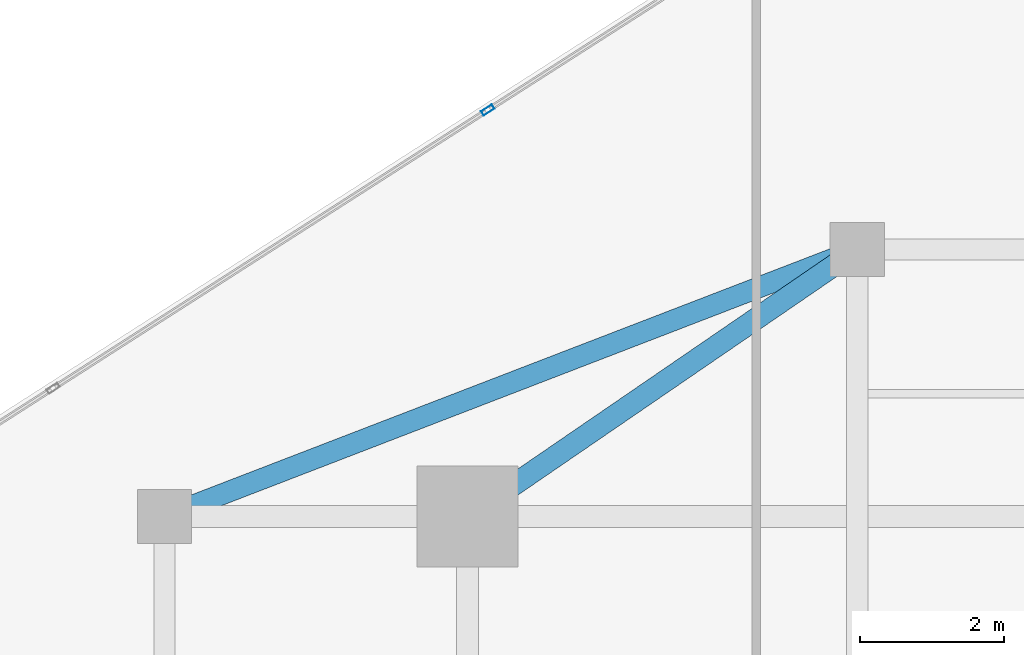
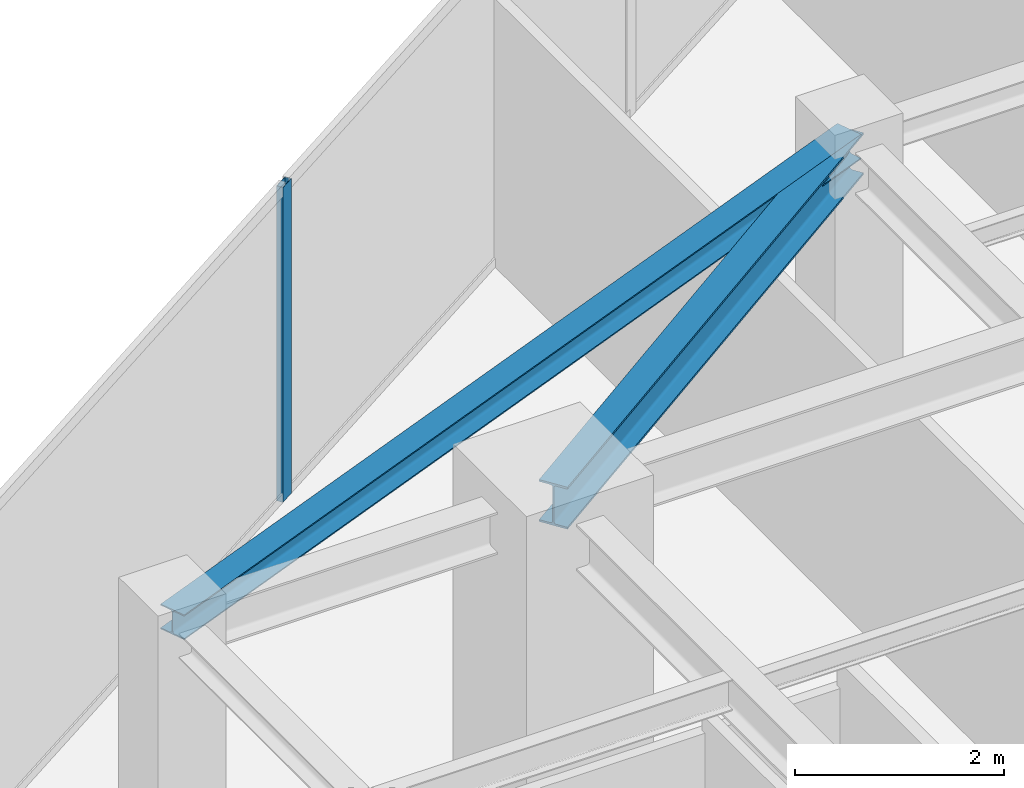
# One storey, part 12 of 20: 2 beams, 1 member, 1 element without a shape of its own.
"""IFC4 building model written with IfcOpenShell, lengths in metres."""

from ifc_helpers import new_model, si_unit, direction, frame, origin, origin_2d, place, context, subcontext, project, spatial, hollow_rectangle, i_section, extrude, source, transform, mapped, material, material_profile, profile_set, type_object, type_shapes, element, aggregate, save


model = new_model("IFC4")

# Units and contexts
model_context = context("Model", 3, precision=1e-05, world=origin(), true_north=direction((0.0, 1.0)))
body_context = subcontext(model_context, "Body", "Model", "MODEL_VIEW")
ifc_project = project(units=[si_unit("LENGTHUNIT", "METRE"), si_unit("AREAUNIT", "SQUARE_METRE"), si_unit("VOLUMEUNIT", "CUBIC_METRE"), si_unit("PLANEANGLEUNIT", "RADIAN"), si_unit("MASSUNIT", "GRAM", prefix="KILO")], contexts=[model_context])

# Site, building, storey
site_placement = place(None, origin())
site = spatial("IfcSite", under=ifc_project, at=site_placement, CompositionType="ELEMENT")
building_placement = place(site_placement, origin())
building = spatial("IfcBuilding", under=site, at=building_placement, Name="Krantzveldt Concourse Tower", CompositionType="ELEMENT")
storey_placement = place(building_placement, frame((0.0, 0.0, 287.14990234375)))
storey = spatial("IfcBuildingStorey", under=building, at=storey_placement, Name="L70", CompositionType="ELEMENT", Elevation=287.14990234375)

# Beams
ifc_material_1 = material(Name="Steel S355JR", Category="steel")
ifc_material_profile_1 = material_profile(ifc_material_1, i_section(OverallWidth=0.300048828125, OverallDepth=0.489990234375, WebThickness=0.011962890625, FlangeThickness=0.02294921875, FilletRadius=0.027099609375, at=origin_2d()), Name="Steel S355JR", Category="steel")
ifc_profile_set_1 = profile_set([ifc_material_profile_1], Name="Steel S355JR - HEA 500")
beam_type_1 = type_object("IfcBeamType", Name="BM-B-HEA500", PredefinedType="BEAM", material=ifc_profile_set_1)
shared_shape_1 = source(origin(), body_context, "Body", "SweptSolid", [
    extrude(i_section(OverallWidth=0.300048828125, OverallDepth=0.489990234375, WebThickness=0.011962890625, FlangeThickness=0.02294921875, FilletRadius=0.027099609375, at=origin_2d()), origin(), (0.0, 0.0, 1.0), 6.546142578125),
])
type_shapes(beam_type_1, [shared_shape_1])
beam_1_placement = place(storey_placement, frame((25.199951171875, 37.5, 3.425048828125), z_axis=(0.824942999484, 0.565215930068, 0.0), x_axis=(-0.565215930068, 0.824942999484, 0.0)))
element("IfcBeam", 1, at=beam_1_placement, inside=storey, type_object=beam_type_1, Name="L70 Tower Girder BR-RL4", PredefinedType="BEAM", context=body_context, shape_type="MappedRepresentation", body=[
    mapped(shared_shape_1, transform((0.0, 0.0, 0.0), x_axis=(1.0, 0.0, 0.0), y_axis=(0.0, 1.0, 0.0), z_axis=(0.0, 0.0, 1.0), scale=1.0)),
])
ifc_material_profile_2 = material_profile(ifc_material_1, i_section(OverallWidth=0.2900390625, OverallDepth=0.2900390625, WebThickness=0.008544921875, FlangeThickness=0.013916015625, FilletRadius=0.027099609375, at=origin_2d()), Name="Steel S355JR", Category="steel")
ifc_profile_set_2 = profile_set([ifc_material_profile_2], Name="Steel S355JR - HEA 300")
beam_type_2 = type_object("IfcBeamType", Name="BM-SP-HEA300", PredefinedType="SPANDREL", material=ifc_profile_set_2)
shared_shape_2 = source(origin(), body_context, "Body", "SweptSolid", [
    extrude(i_section(OverallWidth=0.2900390625, OverallDepth=0.2900390625, WebThickness=0.008544921875, FlangeThickness=0.013916015625, FilletRadius=0.027099609375, at=origin_2d()), origin(), (0.0, 0.0, 1.0), 10.288330078125),
])
type_shapes(beam_type_2, [shared_shape_2])
beam_2_placement = place(storey_placement, frame((21.0, 37.5, 3.525146484375), z_axis=(0.933097690408, 0.359622997257, 0.0), x_axis=(-0.359622997257, 0.933097690408, 0.0)))
element("IfcBeam", 2, at=beam_2_placement, inside=storey, type_object=beam_type_2, Name="L70 Tower Girder SP-R03", PredefinedType="SPANDREL", context=body_context, shape_type="MappedRepresentation", body=[
    mapped(shared_shape_2, transform((0.0, 0.0, 0.0), x_axis=(1.0, 0.0, 0.0), y_axis=(0.0, 1.0, 0.0), z_axis=(0.0, 0.0, 1.0), scale=1.0)),
])

# Curtain wall, member
ifc_material_2 = material(Name="Anodised aluminium 6063-T6", Category="aluminium")
curtain_wall_type = type_object("IfcCurtainWallType", Name="CW4", PredefinedType="USERDEFINED", material=ifc_material_2)
curtain_wall_placement = place(storey_placement, origin())
curtain_wall = element("IfcCurtainWall", 3, at=curtain_wall_placement, inside=storey, type_object=curtain_wall_type, Name="CW-L70-F01", ObjectType="UNITISED CURTAIN WALL", PredefinedType="USERDEFINED")
ifc_material_profile_3 = material_profile(ifc_material_2, hollow_rectangle(XDim=0.070068359375, YDim=0.179931640625, WallThickness=0.0048828125, at=origin_2d()), Name="Anodised aluminium 6063-T6", Category="aluminium")
ifc_profile_set_3 = profile_set([ifc_material_profile_3], Name="Anodised aluminium 6063-T6 - ALU-MULL 180x70x5")
member_type = type_object("IfcMemberType", Name="CW-MUL-180", PredefinedType="MULLION", material=ifc_profile_set_3)
shared_shape_3 = source(origin(), body_context, "Body", "SweptSolid", [
    extrude(hollow_rectangle(XDim=0.070068359375, YDim=0.179931640625, WallThickness=0.0048828125, at=origin_2d()), origin(), (0.0, 0.0, 1.0), 3.670166015625),
])
type_shapes(member_type, [shared_shape_3])
member_placement = place(storey_placement, frame((25.4814453125, 43.131591796875, 0.0), z_axis=(0.0, 0.0, 1.0), x_axis=(0.53913830827, -0.842217243088, 0.0)))
member = element("IfcMember", 4, at=member_placement, type_object=member_type, Name="CW-Z56 mullion 3", PredefinedType="MULLION", context=body_context, shape_type="MappedRepresentation", body=[
    mapped(shared_shape_3, transform((0.0, 0.0, 0.0), x_axis=(1.0, 0.0, 0.0), y_axis=(0.0, 1.0, 0.0), z_axis=(0.0, 0.0, 1.0), scale=1.0)),
])
aggregate(curtain_wall, [member])

save(model, "model.ifc")
